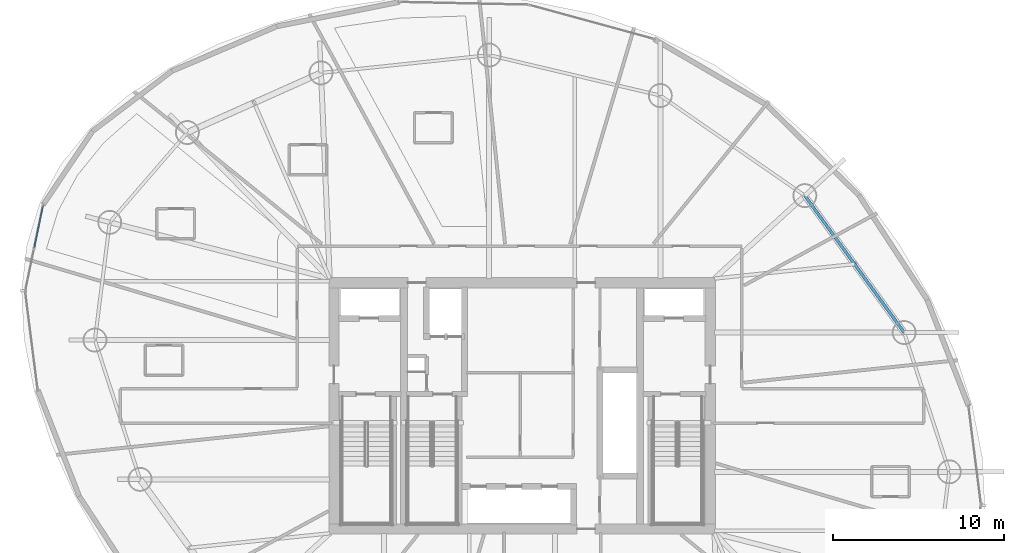
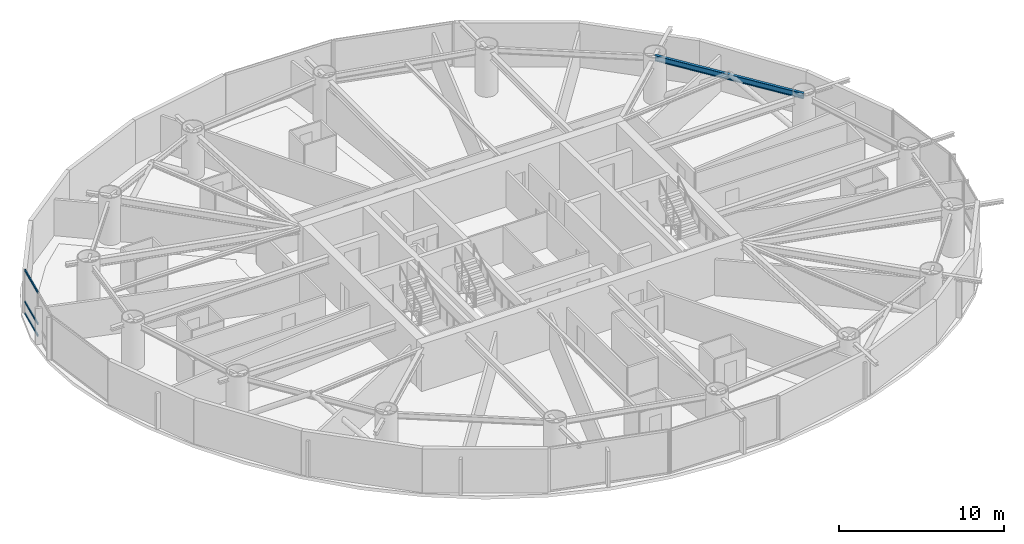
# One storey, part 13 of 26: 3 members, 1 beam, 1 element without a shape of its own.
"""IFC4 building model written with IfcOpenShell, lengths in metres."""

from ifc_helpers import new_model, si_unit, direction, frame, origin, origin_2d, place, context, subcontext, project, spatial, hollow_rectangle, i_section, extrude, material, layer, layer_set, material_profile, profile_set, type_object, element, aggregate, save


model = new_model("IFC4")

# Units and contexts
model_context = context("Model", 3, precision=1e-05, world=origin(), true_north=direction((0.0, 1.0)))
body_context = subcontext(model_context, "Body", "Model", "MODEL_VIEW")
ifc_project = project(units=[si_unit("LENGTHUNIT", "METRE"), si_unit("AREAUNIT", "SQUARE_METRE"), si_unit("VOLUMEUNIT", "CUBIC_METRE"), si_unit("PLANEANGLEUNIT", "RADIAN"), si_unit("MASSUNIT", "GRAM", prefix="KILO")], contexts=[model_context])

# Site, building, storey
site_placement = place(None, origin())
site = spatial("IfcSite", under=ifc_project, at=site_placement, CompositionType="ELEMENT")
building_placement = place(site_placement, origin())
building = spatial("IfcBuilding", under=site, at=building_placement, Name="Bramvorn Convention Spire", CompositionType="ELEMENT")
storey_placement = place(building_placement, frame((0.0, 0.0, 123.800048828125)))
storey = spatial("IfcBuildingStorey", under=building, at=storey_placement, Name="L30", CompositionType="ELEMENT", Elevation=123.800048828125)

# Beam
ifc_material_1 = material(Name="Steel CSA G40.21 Grade 350 (350W)", Category="steel")
ifc_material_profile_1 = material_profile(ifc_material_1, i_section(OverallWidth=0.180908203125, OverallDepth=0.4169921875, WebThickness=0.010986328125, FlangeThickness=0.018310546875, FilletRadius=0.01611328125, at=origin_2d()))
ifc_profile_set_1 = profile_set([ifc_material_profile_1], Name="Steel CSA G40.21 Grade 350 (350W) - W410X85")
beam_type = type_object("IfcBeamType", Name="BM-W410X85", PredefinedType="JOIST", material=ifc_profile_set_1)
beam_placement = place(storey_placement, frame((60.345703125, 30.293212890625, 3.051513671875), z_axis=(-0.587401024629, 0.809296012757, 0.0), x_axis=(-0.809296012757, -0.587401024629, 0.0)))
element("IfcBeam", 1, at=beam_placement, inside=storey, type_object=beam_type, Name="L30 mega-column ring beam 03", PredefinedType="JOIST", context=body_context, shape_type="SweptSolid", body=[
    extrude(i_section(OverallWidth=0.180908203125, OverallDepth=0.4169921875, WebThickness=0.010986328125, FlangeThickness=0.018310546875, FilletRadius=0.01611328125, at=origin_2d()), origin(), (0.0, 0.0, 1.0), 9.892333984375),
])

# Curtain wall, members
ifc_material_2 = material(Name="Anodised Bronze Unitised Curtain Wall", Category="aluminium")
ifc_layer = layer(ifc_material_2, 0.179931640625)
ifc_layer_set = layer_set([ifc_layer], Name="Anodised Bronze Unitised Curtain Wall - CW-HTL-FRIT")
curtain_wall_type = type_object("IfcCurtainWallType", Name="CW-HTL-FRIT", PredefinedType="USERDEFINED", material=ifc_layer_set)
curtain_wall_placement = place(storey_placement, origin())
curtain_wall = element("IfcCurtainWall", 2, at=curtain_wall_placement, inside=storey, type_object=curtain_wall_type, Name="L30 fritted glass curtain wall 13", ObjectType="UNITISED CURTAIN WALL", PredefinedType="USERDEFINED")
ifc_material_3 = material(Name="Anodised Bronze Aluminium 6063-T6", Category="aluminium")
ifc_material_profile_2 = material_profile(ifc_material_3, hollow_rectangle(XDim=0.080078125, YDim=0.159912109375, WallThickness=0.00390625, InnerFilletRadius=0.0009765625, OuterFilletRadius=0.00390625, at=origin_2d()))
ifc_profile_set_2 = profile_set([ifc_material_profile_2], Name="Anodised Bronze Aluminium 6063-T6 - CWT80X160")
member_type = type_object("IfcMemberType", Name="CW-TRN-150", PredefinedType="USERDEFINED", material=ifc_profile_set_2)
member_1_placement = place(storey_placement, frame((9.474365234375, 35.268798828125, 0.030029296875), z_axis=(0.203161633098, 0.979145214377, 0.0), x_axis=(-0.979145214377, 0.203161633098, 0.0)))
member_1 = element("IfcMember", 3, at=member_1_placement, type_object=member_type, Name="CW2 transom 2.1", ObjectType="TRANSOM", PredefinedType="USERDEFINED", context=body_context, shape_type="SweptSolid", body=[
    extrude(hollow_rectangle(XDim=0.080078125, YDim=0.159912109375, WallThickness=0.00390625, InnerFilletRadius=0.0009765625, OuterFilletRadius=0.00390625, at=origin_2d()), origin(), (0.0, 0.0, 1.0), 2.4970703125),
])
member_2_placement = place(storey_placement, frame((9.474365234375, 35.268798828125, 0.89990234375), z_axis=(0.203161633098, 0.979145214377, 0.0), x_axis=(-0.979145214377, 0.203161633098, 0.0)))
member_2 = element("IfcMember", 4, at=member_2_placement, type_object=member_type, Name="CW2 transom 2.2", ObjectType="TRANSOM", PredefinedType="USERDEFINED", context=body_context, shape_type="SweptSolid", body=[
    extrude(hollow_rectangle(XDim=0.080078125, YDim=0.159912109375, WallThickness=0.00390625, InnerFilletRadius=0.0009765625, OuterFilletRadius=0.00390625, at=origin_2d()), origin(), (0.0, 0.0, 1.0), 2.4970703125),
])
member_3_placement = place(storey_placement, frame((9.474365234375, 35.268798828125, 3.22998046875), z_axis=(0.203161633098, 0.979145214377, 0.0), x_axis=(-0.979145214377, 0.203161633098, 0.0)))
member_3 = element("IfcMember", 5, at=member_3_placement, type_object=member_type, Name="CW2 transom 2.3", ObjectType="TRANSOM", PredefinedType="USERDEFINED", context=body_context, shape_type="SweptSolid", body=[
    extrude(hollow_rectangle(XDim=0.080078125, YDim=0.159912109375, WallThickness=0.00390625, InnerFilletRadius=0.0009765625, OuterFilletRadius=0.00390625, at=origin_2d()), origin(), (0.0, 0.0, 1.0), 2.4970703125),
])
aggregate(curtain_wall, [member_1, member_2, member_3])

save(model, "model.ifc")
